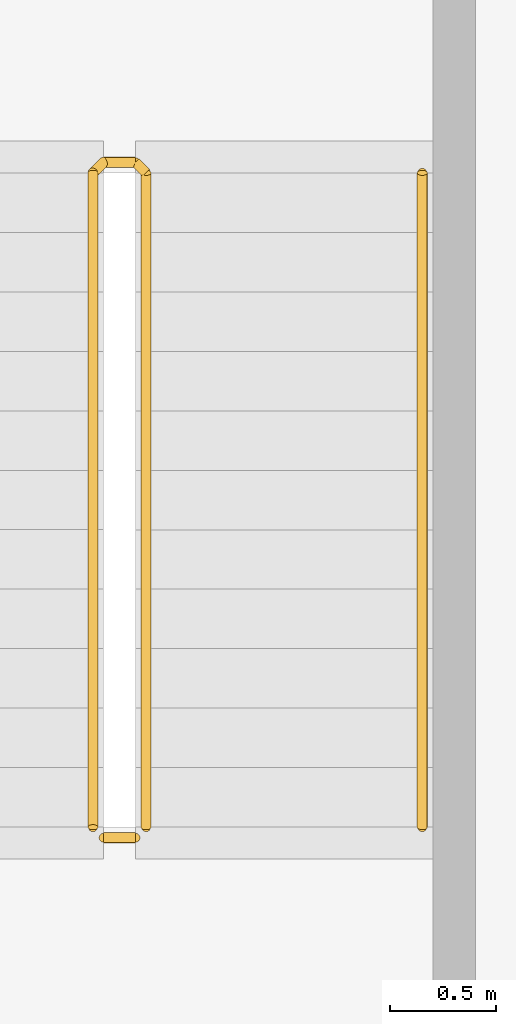
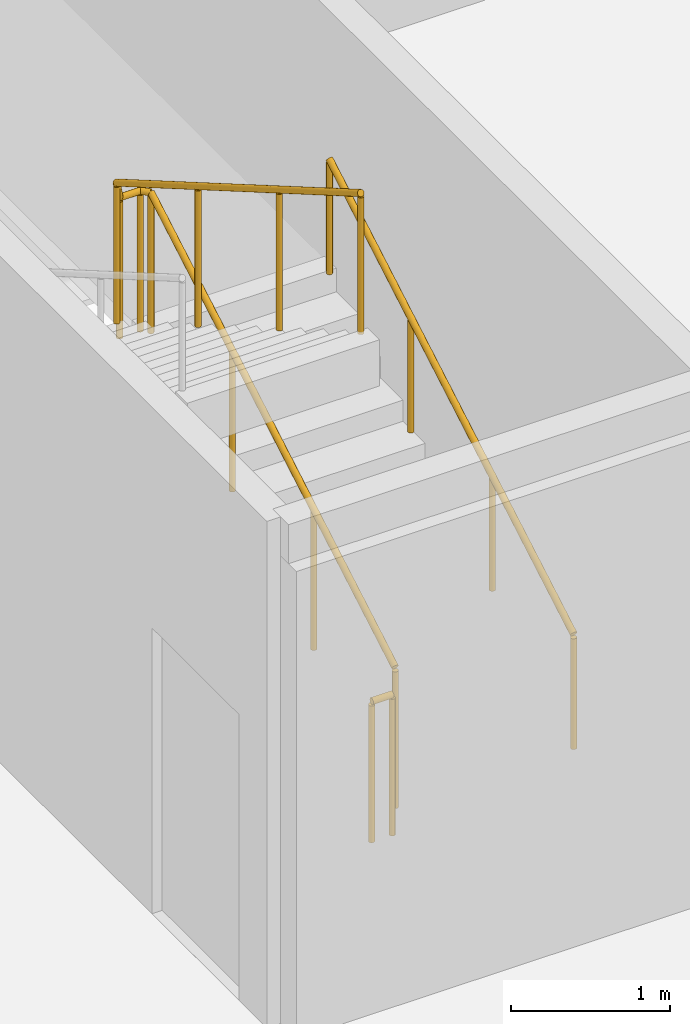
# One storey, part 25 of 26: 3 railings.
"""IFC4 building model written with IfcOpenShell, lengths in metres."""

from ifc_helpers import new_model, si_unit, direction, frame, origin, origin_2d, place, context, subcontext, project, spatial, circle, extrude, material, type_object, element, save


model = new_model("IFC4")

# Units and contexts
model_context = context("Model", 3, precision=1e-05, world=origin(), true_north=direction((0.0, 1.0)))
body_context = subcontext(model_context, "Body", "Model", "MODEL_VIEW")
ifc_project = project(units=[si_unit("LENGTHUNIT", "METRE"), si_unit("AREAUNIT", "SQUARE_METRE"), si_unit("VOLUMEUNIT", "CUBIC_METRE"), si_unit("PLANEANGLEUNIT", "RADIAN"), si_unit("MASSUNIT", "GRAM", prefix="KILO")], contexts=[model_context])

# Site, building, storey
site_placement = place(None, origin())
site = spatial("IfcSite", under=ifc_project, at=site_placement, CompositionType="ELEMENT")
building_placement = place(site_placement, origin())
building = spatial("IfcBuilding", under=site, at=building_placement, Name="Kheshtan School and Residences Tower", CompositionType="ELEMENT")
storey_placement = place(building_placement, frame((0.0, 0.0, 156.5)))
storey = spatial("IfcBuildingStorey", under=building, at=storey_placement, Name="L36", CompositionType="ELEMENT", Elevation=156.5)

# Railings
ifc_material_1 = material(Name="Stainless steel balustrade", Category="steel")
railing_type_1 = type_object("IfcRailingType", Name="Stair guard 1100", PredefinedType="GUARDRAIL", material=ifc_material_1)
railing_1_placement = place(storey_placement, frame((35.0, 80.89990234375, 0.16259765625)))
element("IfcRailing", 1, at=railing_1_placement, inside=storey, type_object=railing_type_1, Name="L36 ST3 stair guard 1", PredefinedType="GUARDRAIL", context=body_context, shape_type="SweptSolid", body=[
    extrude(circle(Radius=0.02392578125, at=origin_2d()), frame((0.0, 0.0, 1.076171875), z_axis=(0.0, 0.864920483161, 0.501908913857), x_axis=(-1.0, 0.0, 0.0)), (0.0, 0.0, 1.0), 3.56103515625),
    extrude(circle(Radius=0.02392578125, at=origin_2d()), frame((0.0, 3.080078125, 2.86328125), z_axis=(-0.707106781187, 0.707106781187, 0.0), x_axis=(-0.707106781187, -0.707106781187, 0.0)), (0.0, 0.0, 1.0), 0.07080078125),
    extrude(circle(Radius=0.02392578125, at=origin_2d()), frame((-0.050048828125, 3.130126953125, 2.86328125), z_axis=(-1.0, 0.0, 0.0), x_axis=(0.0, -1.0, 0.0)), (0.0, 0.0, 1.0), 0.14990234375),
    extrude(circle(Radius=0.02392578125, at=origin_2d()), frame((-0.199951171875, 3.130126953125, 2.86328125), z_axis=(-0.282227285176, -0.282227285176, 0.916894497205), x_axis=(0.707106781187, -0.707106781187, 0.0)), (0.0, 0.0, 1.0), 0.17724609375),
    extrude(circle(Radius=0.02392578125, at=origin_2d()), frame((-0.25, 3.080078125, 3.02587890625), z_axis=(0.0, -0.864920483161, 0.501908913857), x_axis=(1.0, 0.0, 0.0)), (0.0, 0.0, 1.0), 3.56103515625),
    extrude(circle(Radius=0.02099609375, at=origin_2d()), origin(), (0.0, 0.0, 1.0), 1.052001953125),
    extrude(circle(Radius=0.02099609375, at=origin_2d()), frame((0.0, 1.026611328125, 0.595703125)), (0.0, 0.0, 1.0), 1.052001953125),
    extrude(circle(Radius=0.02099609375, at=origin_2d()), frame((0.0, 2.053466796875, 1.191650390625)), (0.0, 0.0, 1.0), 1.052001953125),
    extrude(circle(Radius=0.02099609375, at=origin_2d()), frame((0.0, 3.080078125, 1.787353515625)), (0.0, 0.0, 1.0), 1.052001953125),
    extrude(circle(Radius=0.02099609375, at=origin_2d()), frame((-0.050048828125, 3.130126953125, 1.787353515625)), (0.0, 0.0, 1.0), 1.052001953125),
    extrude(circle(Radius=0.02099609375, at=origin_2d()), frame((-0.199951171875, 3.130126953125, 1.787353515625)), (0.0, 0.0, 1.0), 1.052001953125),
    extrude(circle(Radius=0.02099609375, at=origin_2d()), frame((-0.25, 3.080078125, 1.949951171875)), (0.0, 0.0, 1.0), 1.052001953125),
    extrude(circle(Radius=0.02099609375, at=origin_2d()), frame((-0.25, 2.053466796875, 2.545654296875)), (0.0, 0.0, 1.0), 1.052001953125),
    extrude(circle(Radius=0.02099609375, at=origin_2d()), frame((-0.25, 1.026611328125, 3.1416015625)), (0.0, 0.0, 1.0), 1.052001953125),
    extrude(circle(Radius=0.02099609375, at=origin_2d()), frame((-0.25, 0.0, 3.7373046875)), (0.0, 0.0, 1.0), 1.052001953125),
])
railing_2_placement = place(storey_placement, frame((34.949951171875, 80.85009765625, 0.0)))
element("IfcRailing", 2, at=railing_2_placement, inside=storey, type_object=railing_type_1, Name="L36 ST3 stair guard 2", PredefinedType="GUARDRAIL", context=body_context, shape_type="SweptSolid", body=[
    extrude(circle(Radius=0.02392578125, at=origin_2d()), frame((0.0, 0.0, 1.076171875), z_axis=(-1.0, 0.0, 0.0), x_axis=(0.0, -1.0, 0.0)), (0.0, 0.0, 1.0), 0.14990234375),
    extrude(circle(Radius=0.02099609375, at=origin_2d()), origin(), (0.0, 0.0, 1.0), 1.052001953125),
    extrude(circle(Radius=0.02099609375, at=origin_2d()), frame((-0.14990234375, 0.0, 0.0)), (0.0, 0.0, 1.0), 1.052001953125),
])
ifc_material_2 = material(Name="Stainless steel handrail", Category="steel")
railing_type_2 = type_object("IfcRailingType", Name="Stair handrail 900", PredefinedType="HANDRAIL", material=ifc_material_2)
railing_3_placement = place(storey_placement, frame((36.300048828125, 80.89990234375, 0.16259765625)))
element("IfcRailing", 3, at=railing_3_placement, inside=storey, type_object=railing_type_2, Name="L36 ST3 stair handrail 1", PredefinedType="HANDRAIL", context=body_context, shape_type="SweptSolid", body=[
    extrude(circle(Radius=0.02392578125, at=origin_2d()), frame((0.0, 0.0, 0.8759765625), z_axis=(0.0, 0.864920483161, 0.501908913857), x_axis=(-1.0, 0.0, 0.0)), (0.0, 0.0, 1.0), 3.56103515625),
    extrude(circle(Radius=0.02099609375, at=origin_2d()), origin(), (0.0, 0.0, 1.0), 0.851806640625),
    extrude(circle(Radius=0.02099609375, at=origin_2d()), frame((0.0, 1.026611328125, 0.595703125)), (0.0, 0.0, 1.0), 0.851806640625),
    extrude(circle(Radius=0.02099609375, at=origin_2d()), frame((0.0, 2.053466796875, 1.191650390625)), (0.0, 0.0, 1.0), 0.851806640625),
    extrude(circle(Radius=0.02099609375, at=origin_2d()), frame((0.0, 3.080078125, 1.787353515625)), (0.0, 0.0, 1.0), 0.851806640625),
])

save(model, "model.ifc")
